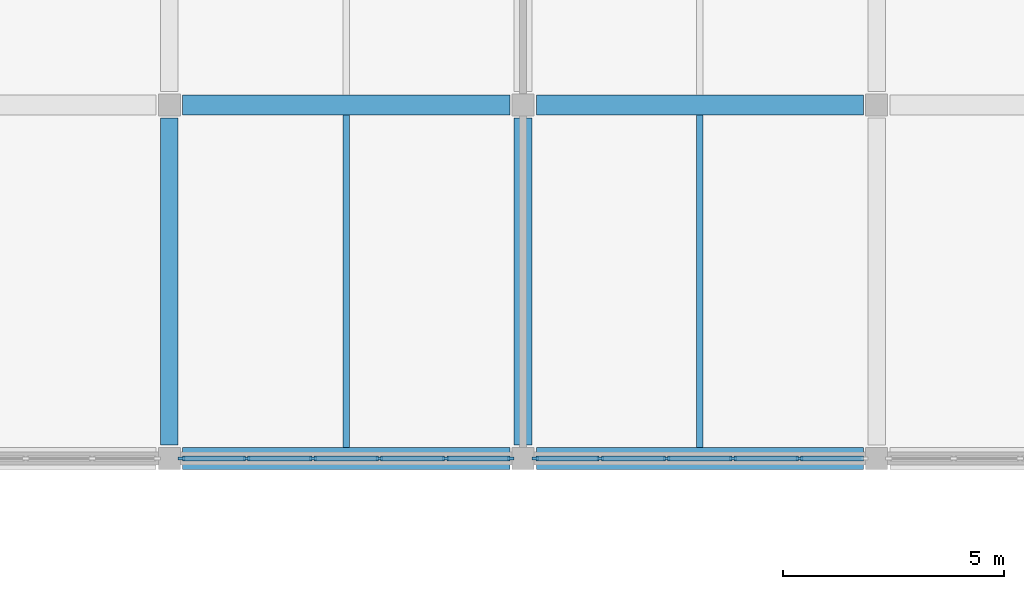
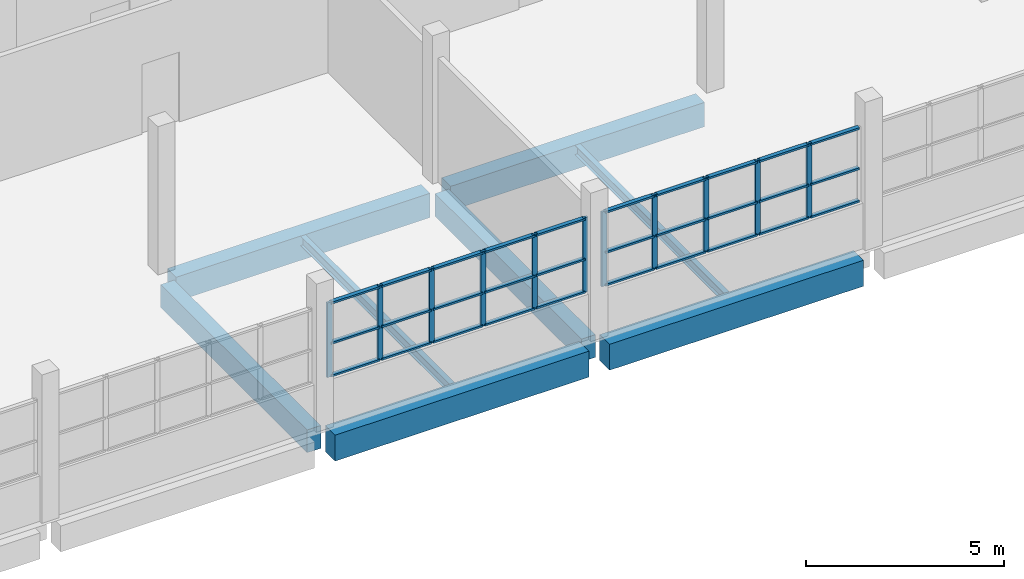
# One storey, part 33 of 93: 41 members, 8 beams, 2 elements without a shape of their own.
"""IFC4 building model written with IfcOpenShell, lengths in metres."""

import ifcopenshell
import ifcopenshell.guid

model = None  # the IFC model being written
_history = None  # IfcOwnerHistory: only IFC2X3 demands one
_inside = {}  # id of a spatial element -> (the spatial element, [elements in it])
_under = {}  # id of a project, library or spatial element -> (it, [spatial elements below it])
_declared = {}  # id of a project -> (the project, [libraries it declares])
_typed = {}  # id of a type object -> (the type object, [elements of that type])
_made_of = {}  # id of a material, layer set ... -> (it, [elements and type objects made of it])


def new_model(schema):
    """Start an empty IFC model of exactly this schema.

    Asked for "IFC4X3", IfcOpenShell would pick the latest addendum, in which some entities
    have other attributes; the version numbers below select the first issue.
    IFC2X3 requires an IfcOwnerHistory on every rooted entity: one is made here for all.
    """
    global model, _history
    if schema == "IFC4X3":
        model = ifcopenshell.file(schema_version=(4, 3, 0, 0))
    else:
        model = ifcopenshell.file(schema=schema)
    _inside.clear()
    _under.clear()
    _declared.clear()
    _typed.clear()
    _made_of.clear()
    _history = None
    if model.schema == "IFC2X3":
        org = make("IfcOrganization", Name="unknown")
        user = make(
            "IfcPersonAndOrganization",
            ThePerson=make("IfcPerson", FamilyName="unknown"),
            TheOrganization=org,
        )
        app = make(
            "IfcApplication",
            ApplicationDeveloper=org,
            Version="unknown",
            ApplicationFullName="unknown",
            ApplicationIdentifier="unknown",
        )
        _history = make(
            "IfcOwnerHistory",
            OwningUser=user,
            OwningApplication=app,
            ChangeAction="ADDED",
            CreationDate=0,
        )
    return model


def make(cls, **values):
    """One entity of the class cls with the attributes given. An attribute that is None is left unset."""
    return model.create_entity(
        cls, **{name: value for name, value in values.items() if value is not None}
    )


def rooted(cls, **values):
    """An entity with a GlobalId (a new one), such as an element, a storey or a relation."""
    return make(cls, GlobalId=ifcopenshell.guid.new(), OwnerHistory=_history, **values)


def si_unit(unit_type, name, prefix=None):
    """IfcSIUnit, for example si_unit("LENGTHUNIT", "METRE", prefix="MILLI")."""
    return make("IfcSIUnit", UnitType=unit_type, Prefix=prefix, Name=name)


def assignment(units):
    """IfcUnitAssignment: the units of a project."""
    return None if units is None else make("IfcUnitAssignment", Units=units)


def point(xyz):
    """IfcCartesianPoint."""
    return None if xyz is None else make("IfcCartesianPoint", Coordinates=xyz)


def direction(xyz):
    """IfcDirection."""
    return None if xyz is None else make("IfcDirection", DirectionRatios=xyz)


def frame(location, z_axis=None, x_axis=None):
    """IfcAxis2Placement3D, a coordinate frame: its origin and axes. An axis left out is left unset."""
    return make(
        "IfcAxis2Placement3D",
        Location=point(location),
        Axis=direction(z_axis),
        RefDirection=direction(x_axis),
    )


def frame_2d(location, x_axis=None):
    """IfcAxis2Placement2D, a coordinate frame in the plane: its origin and x axis."""
    return make(
        "IfcAxis2Placement2D", Location=point(location), RefDirection=direction(x_axis)
    )


def origin():
    """The frame at (0, 0, 0) with its axes left unset."""
    return frame((0.0, 0.0, 0.0))


def origin_2d():
    """The frame at (0, 0) in the plane with its x axis left unset."""
    return frame_2d((0.0, 0.0))


def place(relative_to, where):
    """IfcLocalPlacement: puts the frame where relative to a parent placement (None: the world)."""
    return make(
        "IfcLocalPlacement", PlacementRelTo=relative_to, RelativePlacement=where
    )


def context(
    kind, dimensions, precision=None, world=None, true_north=None, identifier=None
):
    """IfcGeometricRepresentationContext, for example the 3D "Model" context."""
    return make(
        "IfcGeometricRepresentationContext",
        ContextIdentifier=identifier,
        ContextType=kind,
        CoordinateSpaceDimension=dimensions,
        Precision=precision,
        WorldCoordinateSystem=world,
        TrueNorth=true_north,
    )


def subcontext(parent, identifier, kind, view, scale=None):
    """IfcGeometricRepresentationSubContext, for example "Body" below "Model"."""
    return make(
        "IfcGeometricRepresentationSubContext",
        ContextIdentifier=identifier,
        ContextType=kind,
        ParentContext=parent,
        TargetScale=scale,
        TargetView=view,
    )


def project(units=None, contexts=None):
    """IfcProject with its units and contexts."""
    return rooted(
        "IfcProject",
        Name="project",
        RepresentationContexts=contexts,
        UnitsInContext=assignment(units),
    )


def spatial(cls, under=None, at=None, **own):
    """A site, building, storey or space (cls), placed at a placement, below another one or the project."""
    s = rooted(cls, ObjectPlacement=at, **own)
    if under is not None:
        _under.setdefault(under.id(), (under, []))[1].append(s)
    return s


def profile(cls, at=None, kind="AREA", **sizes):
    """A parametric profile (cls). Its sizes go by their IFC names, for example OverallWidth=200.0."""
    return make(cls, ProfileType=kind, Position=at, **sizes)


def rectangle(**sizes):
    """IfcRectangleProfileDef."""
    return profile("IfcRectangleProfileDef", **sizes)


def i_section(**sizes):
    """IfcIShapeProfileDef."""
    return profile("IfcIShapeProfileDef", **sizes)


def extrude(swept, where, along, depth):
    """IfcExtrudedAreaSolid: the profile swept, set in the frame where, extruded along a direction by depth."""
    return make(
        "IfcExtrudedAreaSolid",
        SweptArea=swept,
        Position=where,
        ExtrudedDirection=direction(along),
        Depth=depth,
    )


def shape(context_of_items, identifier, shape_type, items):
    """IfcShapeRepresentation: the items that make up one representation, for example the "Body"."""
    return make(
        "IfcShapeRepresentation",
        ContextOfItems=context_of_items,
        RepresentationIdentifier=identifier,
        RepresentationType=shape_type,
        Items=items,
    )


def material(Name=None, Category=None):
    """IfcMaterial."""
    return make("IfcMaterial", Name=Name, Category=Category)


def layer(
    of_material, thickness, ventilated=None, Name=None, Category=None, Priority=None
):
    """IfcMaterialLayer: one layer of a wall or slab, of a material (None: an air gap)."""
    return make(
        "IfcMaterialLayer",
        Material=of_material,
        LayerThickness=thickness,
        IsVentilated=ventilated,
        Name=Name,
        Category=Category,
        Priority=Priority,
    )


def layer_set(layers, Name=None):
    """IfcMaterialLayerSet."""
    return make("IfcMaterialLayerSet", MaterialLayers=layers, LayerSetName=Name)


def material_profile(
    of_material, cross_section, Name=None, Category=None, Priority=None
):
    """IfcMaterialProfile: a cross section and its material."""
    return make(
        "IfcMaterialProfile",
        Name=Name,
        Material=of_material,
        Profile=cross_section,
        Priority=Priority,
        Category=Category,
    )


def profile_set(profiles, Name=None, composite=None):
    """IfcMaterialProfileSet."""
    return make(
        "IfcMaterialProfileSet",
        Name=Name,
        MaterialProfiles=profiles,
        CompositeProfile=composite,
    )


def made_of(thing, what):
    """Note that an element or type object is made of a material, layer set ...; save() writes the relation."""
    if what is not None:
        _made_of.setdefault(what.id(), (what, []))[1].append(thing)
    return thing


def type_object(cls, material=None, **own):
    """A type object (cls), such as IfcWallType, which elements share."""
    return made_of(rooted(cls, **own), material)


def element(
    cls,
    number,
    at=None,
    inside=None,
    cuts=None,
    type_object=None,
    material=None,
    context=None,
    identifier="Body",
    shape_type=None,
    held_by="IfcProductDefinitionShape",
    body=None,
    shapes=None,
    **own,
):
    """One element of the class cls, such as IfcWall. Its Tag is "e" and its number.

    at: its placement. inside: the storey or other place that contains it. cuts: it is an
    opening in that element (IfcRelVoidsElement). A single representation is given by context,
    identifier, shape_type and body (its items); several are given by shapes. held_by: the class
    of the entity that holds the representations. save() writes the other relations.
    """
    e = rooted(cls, Tag="e%d" % number, ObjectPlacement=at, **own)
    if body is not None:
        shapes = [shape(context, identifier, shape_type, body)]
    if shapes is not None:
        e.Representation = make(held_by, Representations=shapes)
    if inside is not None:
        _inside.setdefault(inside.id(), (inside, []))[1].append(e)
    if cuts is not None:
        rooted(
            "IfcRelVoidsElement", RelatingBuildingElement=cuts, RelatedOpeningElement=e
        )
    if type_object is not None:
        _typed.setdefault(type_object.id(), (type_object, []))[1].append(e)
    return made_of(e, material)


def aggregate(whole, parts):
    """IfcRelAggregates: a whole, such as a stair, and the parts it consists of."""
    return rooted("IfcRelAggregates", RelatingObject=whole, RelatedObjects=parts)


def save(model, path):
    """Write the relations noted so far, then the file.

    IfcRelAggregates (storeys below a building ...), IfcRelContainedInSpatialStructure (elements
    in a storey), IfcRelDefinesByType, IfcRelAssociatesMaterial and IfcRelDeclares: one each for
    every whole, place, type object, material and project.
    """
    for whole, parts in _under.values():
        aggregate(whole, parts)
    for where, things in _inside.values():
        rooted(
            "IfcRelContainedInSpatialStructure",
            RelatedElements=things,
            RelatingStructure=where,
        )
    for kind, things in _typed.values():
        rooted("IfcRelDefinesByType", RelatedObjects=things, RelatingType=kind)
    for what, things in _made_of.values():
        rooted("IfcRelAssociatesMaterial", RelatedObjects=things, RelatingMaterial=what)
    for by, libraries in _declared.values():
        rooted("IfcRelDeclares", RelatingContext=by, RelatedDefinitions=libraries)
    model.write(path)


model = new_model("IFC4")

# Units and contexts
model_context = context("Model", 3, precision=1e-05, world=origin(), true_north=direction((0.0, 1.0)))
body_context = subcontext(model_context, "Body", "Model", "MODEL_VIEW")
ifc_project = project(units=[si_unit("LENGTHUNIT", "METRE"), si_unit("AREAUNIT", "SQUARE_METRE"), si_unit("VOLUMEUNIT", "CUBIC_METRE"), si_unit("PLANEANGLEUNIT", "RADIAN"), si_unit("MASSUNIT", "GRAM", prefix="KILO")], contexts=[model_context])

# Site, building, storey
site_placement = place(None, origin())
site = spatial("IfcSite", under=ifc_project, at=site_placement, CompositionType="ELEMENT")
building_placement = place(site_placement, origin())
building = spatial("IfcBuilding", under=site, at=building_placement, Name="Drelvana Railside Aquatics Centre", CompositionType="ELEMENT")
storey_placement = place(building_placement, frame((0.0, 0.0, 5.39990234375)))
storey = spatial("IfcBuildingStorey", under=building, at=storey_placement, Name="L01", CompositionType="ELEMENT", Elevation=5.39990234375)

# Curtain wall, members
ifc_material_1 = material(Name="Bronze-anodised aluminium curtain wall", Category="aluminium")
ifc_layer = layer(ifc_material_1, 0.1650390625, Name="Bronze-anodised aluminium curtain wall")
ifc_layer_set = layer_set([ifc_layer], Name="Bronze-anodised aluminium curtain wall")
curtain_wall_type = type_object("IfcCurtainWallType", Name="CW-Z5-COURT", PredefinedType="NOTDEFINED", material=ifc_layer_set)
curtain_wall_1_placement = place(storey_placement, origin())
curtain_wall_1 = element("IfcCurtainWall", 1, at=curtain_wall_1_placement, inside=storey, type_object=curtain_wall_type, Name="Curtain wall CW-05-120", PredefinedType="NOTDEFINED")
ifc_material_2 = material(Name="Bronze-anodised aluminium 6063-T6", Category="aluminium")
ifc_material_profile_1 = material_profile(ifc_material_2, rectangle(XDim=0.06005859375, YDim=0.14990234375, at=origin_2d()), Name="ALU-M 60x150")
ifc_profile_set_1 = profile_set([ifc_material_profile_1], Name="Bronze-anodised aluminium 6063-T6")
member_type_1 = type_object("IfcMemberType", Name="CW-Z5-COURT-MUL", PredefinedType="MULLION", material=ifc_profile_set_1)
member_1_placement = place(storey_placement, frame((112.27392578125, 84.0, 1.39404296875), z_axis=(0.0, 0.0, 1.0), x_axis=(0.0, 1.0, 0.0)))
member_1 = element("IfcMember", 2, at=member_1_placement, type_object=member_type_1, Name="CW-05 mullion 1", PredefinedType="MULLION", context=body_context, shape_type="SweptSolid", body=[
    extrude(rectangle(XDim=0.06005859375, YDim=0.14990234375, at=origin_2d()), origin(), (0.0, 0.0, 1.0), 2.30615234375),
])
member_2_placement = place(storey_placement, frame((113.746337890625, 84.0, 1.39404296875), z_axis=(0.0, 0.0, 1.0), x_axis=(0.0, 1.0, 0.0)))
member_2 = element("IfcMember", 3, at=member_2_placement, type_object=member_type_1, Name="CW-05 mullion 2", PredefinedType="MULLION", context=body_context, shape_type="SweptSolid", body=[
    extrude(rectangle(XDim=0.06005859375, YDim=0.14990234375, at=origin_2d()), origin(), (0.0, 0.0, 1.0), 2.30615234375),
])
member_3_placement = place(storey_placement, frame((115.248779296875, 84.0, 1.39404296875), z_axis=(0.0, 0.0, 1.0), x_axis=(0.0, 1.0, 0.0)))
member_3 = element("IfcMember", 4, at=member_3_placement, type_object=member_type_1, Name="CW-05 mullion 3", PredefinedType="MULLION", context=body_context, shape_type="SweptSolid", body=[
    extrude(rectangle(XDim=0.06005859375, YDim=0.14990234375, at=origin_2d()), origin(), (0.0, 0.0, 1.0), 2.30615234375),
])
member_4_placement = place(storey_placement, frame((116.751220703125, 84.0, 1.39404296875), z_axis=(0.0, 0.0, 1.0), x_axis=(0.0, 1.0, 0.0)))
member_4 = element("IfcMember", 5, at=member_4_placement, type_object=member_type_1, Name="CW-05 mullion 4", PredefinedType="MULLION", context=body_context, shape_type="SweptSolid", body=[
    extrude(rectangle(XDim=0.06005859375, YDim=0.14990234375, at=origin_2d()), origin(), (0.0, 0.0, 1.0), 2.30615234375),
])
member_5_placement = place(storey_placement, frame((118.253662109375, 84.0, 1.39404296875), z_axis=(0.0, 0.0, 1.0), x_axis=(0.0, 1.0, 0.0)))
member_5 = element("IfcMember", 6, at=member_5_placement, type_object=member_type_1, Name="CW-05 mullion 5", PredefinedType="MULLION", context=body_context, shape_type="SweptSolid", body=[
    extrude(rectangle(XDim=0.06005859375, YDim=0.14990234375, at=origin_2d()), origin(), (0.0, 0.0, 1.0), 2.30615234375),
])
member_6_placement = place(storey_placement, frame((119.72607421875, 84.0, 1.39404296875), z_axis=(0.0, 0.0, 1.0), x_axis=(0.0, 1.0, 0.0)))
member_6 = element("IfcMember", 7, at=member_6_placement, type_object=member_type_1, Name="CW-05 mullion 6", PredefinedType="MULLION", context=body_context, shape_type="SweptSolid", body=[
    extrude(rectangle(XDim=0.06005859375, YDim=0.14990234375, at=origin_2d()), origin(), (0.0, 0.0, 1.0), 2.30615234375),
])

curtain_wall_2_placement = place(storey_placement, origin())
curtain_wall_2 = element("IfcCurtainWall", 8, at=curtain_wall_2_placement, inside=storey, type_object=curtain_wall_type, Name="Curtain wall CW-05-122", PredefinedType="NOTDEFINED")
member_7_placement = place(storey_placement, frame((120.27392578125, 84.0, 1.39404296875), z_axis=(0.0, 0.0, 1.0), x_axis=(0.0, 1.0, 0.0)))
member_7 = element("IfcMember", 9, at=member_7_placement, type_object=member_type_1, Name="CW-05 mullion 1", PredefinedType="MULLION", context=body_context, shape_type="SweptSolid", body=[
    extrude(rectangle(XDim=0.06005859375, YDim=0.14990234375, at=origin_2d()), origin(), (0.0, 0.0, 1.0), 2.30615234375),
])
member_8_placement = place(storey_placement, frame((121.746337890625, 84.0, 1.39404296875), z_axis=(0.0, 0.0, 1.0), x_axis=(0.0, 1.0, 0.0)))
member_8 = element("IfcMember", 10, at=member_8_placement, type_object=member_type_1, Name="CW-05 mullion 2", PredefinedType="MULLION", context=body_context, shape_type="SweptSolid", body=[
    extrude(rectangle(XDim=0.06005859375, YDim=0.14990234375, at=origin_2d()), origin(), (0.0, 0.0, 1.0), 2.30615234375),
])
member_9_placement = place(storey_placement, frame((123.248779296875, 84.0, 1.39404296875), z_axis=(0.0, 0.0, 1.0), x_axis=(0.0, 1.0, 0.0)))
member_9 = element("IfcMember", 11, at=member_9_placement, type_object=member_type_1, Name="CW-05 mullion 3", PredefinedType="MULLION", context=body_context, shape_type="SweptSolid", body=[
    extrude(rectangle(XDim=0.06005859375, YDim=0.14990234375, at=origin_2d()), origin(), (0.0, 0.0, 1.0), 2.30615234375),
])
member_10_placement = place(storey_placement, frame((124.751220703125, 84.0, 1.39404296875), z_axis=(0.0, 0.0, 1.0), x_axis=(0.0, 1.0, 0.0)))
member_10 = element("IfcMember", 12, at=member_10_placement, type_object=member_type_1, Name="CW-05 mullion 4", PredefinedType="MULLION", context=body_context, shape_type="SweptSolid", body=[
    extrude(rectangle(XDim=0.06005859375, YDim=0.14990234375, at=origin_2d()), origin(), (0.0, 0.0, 1.0), 2.30615234375),
])
member_11_placement = place(storey_placement, frame((126.253662109375, 84.0, 1.39404296875), z_axis=(0.0, 0.0, 1.0), x_axis=(0.0, 1.0, 0.0)))
member_11 = element("IfcMember", 13, at=member_11_placement, type_object=member_type_1, Name="CW-05 mullion 5", PredefinedType="MULLION", context=body_context, shape_type="SweptSolid", body=[
    extrude(rectangle(XDim=0.06005859375, YDim=0.14990234375, at=origin_2d()), origin(), (0.0, 0.0, 1.0), 2.30615234375),
])

# Member
ifc_material_profile_2 = material_profile(ifc_material_2, rectangle(XDim=0.1201171875, YDim=0.06005859375, at=origin_2d()), Name="ALU-T 60x120")
ifc_profile_set_2 = profile_set([ifc_material_profile_2], Name="Bronze-anodised aluminium 6063-T6")
member_type_2 = type_object("IfcMemberType", Name="CW-Z5-COURT-TRN", PredefinedType="USERDEFINED", material=ifc_profile_set_2)
member_12_placement = place(storey_placement, frame((112.299072265625, 84.0, 1.424072265625), z_axis=(1.0, 0.0, 0.0), x_axis=(0.0, 1.0, 0.0)))
member_12 = element("IfcMember", 14, at=member_12_placement, type_object=member_type_2, Name="CW-05 transom 1.1", ObjectType="TRANSOM", PredefinedType="USERDEFINED", context=body_context, shape_type="SweptSolid", body=[
    extrude(rectangle(XDim=0.1201171875, YDim=0.06005859375, at=origin_2d()), origin(), (0.0, 0.0, 1.0), 1.42236328125),
])

member_13_placement = place(storey_placement, frame((112.299072265625, 84.0, 2.43212890625), z_axis=(1.0, 0.0, 0.0), x_axis=(0.0, 1.0, 0.0)))
member_13 = element("IfcMember", 15, at=member_13_placement, type_object=member_type_2, Name="CW-05 transom 1.2", ObjectType="TRANSOM", PredefinedType="USERDEFINED", context=body_context, shape_type="SweptSolid", body=[
    extrude(rectangle(XDim=0.1201171875, YDim=0.06005859375, at=origin_2d()), origin(), (0.0, 0.0, 1.0), 1.42236328125),
])

member_14_placement = place(storey_placement, frame((112.299072265625, 84.0, 3.670166015625), z_axis=(1.0, 0.0, 0.0), x_axis=(0.0, 1.0, 0.0)))
member_14 = element("IfcMember", 16, at=member_14_placement, type_object=member_type_2, Name="CW-05 transom 1.3", ObjectType="TRANSOM", PredefinedType="USERDEFINED", context=body_context, shape_type="SweptSolid", body=[
    extrude(rectangle(XDim=0.1201171875, YDim=0.06005859375, at=origin_2d()), origin(), (0.0, 0.0, 1.0), 1.42236328125),
])

member_15_placement = place(storey_placement, frame((113.771484375, 84.0, 1.424072265625), z_axis=(1.0, 0.0, 0.0), x_axis=(0.0, 1.0, 0.0)))
member_15 = element("IfcMember", 17, at=member_15_placement, type_object=member_type_2, Name="CW-05 transom 2.1", ObjectType="TRANSOM", PredefinedType="USERDEFINED", context=body_context, shape_type="SweptSolid", body=[
    extrude(rectangle(XDim=0.1201171875, YDim=0.06005859375, at=origin_2d()), origin(), (0.0, 0.0, 1.0), 1.452392578125),
])

member_16_placement = place(storey_placement, frame((113.771484375, 84.0, 2.43212890625), z_axis=(1.0, 0.0, 0.0), x_axis=(0.0, 1.0, 0.0)))
member_16 = element("IfcMember", 18, at=member_16_placement, type_object=member_type_2, Name="CW-05 transom 2.2", ObjectType="TRANSOM", PredefinedType="USERDEFINED", context=body_context, shape_type="SweptSolid", body=[
    extrude(rectangle(XDim=0.1201171875, YDim=0.06005859375, at=origin_2d()), origin(), (0.0, 0.0, 1.0), 1.452392578125),
])

member_17_placement = place(storey_placement, frame((113.771484375, 84.0, 3.670166015625), z_axis=(1.0, 0.0, 0.0), x_axis=(0.0, 1.0, 0.0)))
member_17 = element("IfcMember", 19, at=member_17_placement, type_object=member_type_2, Name="CW-05 transom 2.3", ObjectType="TRANSOM", PredefinedType="USERDEFINED", context=body_context, shape_type="SweptSolid", body=[
    extrude(rectangle(XDim=0.1201171875, YDim=0.06005859375, at=origin_2d()), origin(), (0.0, 0.0, 1.0), 1.452392578125),
])

member_18_placement = place(storey_placement, frame((115.273681640625, 84.0, 1.424072265625), z_axis=(1.0, 0.0, 0.0), x_axis=(0.0, 1.0, 0.0)))
member_18 = element("IfcMember", 20, at=member_18_placement, type_object=member_type_2, Name="CW-05 transom 3.1", ObjectType="TRANSOM", PredefinedType="USERDEFINED", context=body_context, shape_type="SweptSolid", body=[
    extrude(rectangle(XDim=0.1201171875, YDim=0.06005859375, at=origin_2d()), origin(), (0.0, 0.0, 1.0), 1.45263671875),
])

member_19_placement = place(storey_placement, frame((115.273681640625, 84.0, 2.43212890625), z_axis=(1.0, 0.0, 0.0), x_axis=(0.0, 1.0, 0.0)))
member_19 = element("IfcMember", 21, at=member_19_placement, type_object=member_type_2, Name="CW-05 transom 3.2", ObjectType="TRANSOM", PredefinedType="USERDEFINED", context=body_context, shape_type="SweptSolid", body=[
    extrude(rectangle(XDim=0.1201171875, YDim=0.06005859375, at=origin_2d()), origin(), (0.0, 0.0, 1.0), 1.45263671875),
])

member_20_placement = place(storey_placement, frame((115.273681640625, 84.0, 3.670166015625), z_axis=(1.0, 0.0, 0.0), x_axis=(0.0, 1.0, 0.0)))
member_20 = element("IfcMember", 22, at=member_20_placement, type_object=member_type_2, Name="CW-05 transom 3.3", ObjectType="TRANSOM", PredefinedType="USERDEFINED", context=body_context, shape_type="SweptSolid", body=[
    extrude(rectangle(XDim=0.1201171875, YDim=0.06005859375, at=origin_2d()), origin(), (0.0, 0.0, 1.0), 1.45263671875),
])

member_21_placement = place(storey_placement, frame((116.776123046875, 84.0, 1.424072265625), z_axis=(1.0, 0.0, 0.0), x_axis=(0.0, 1.0, 0.0)))
member_21 = element("IfcMember", 23, at=member_21_placement, type_object=member_type_2, Name="CW-05 transom 4.1", ObjectType="TRANSOM", PredefinedType="USERDEFINED", context=body_context, shape_type="SweptSolid", body=[
    extrude(rectangle(XDim=0.1201171875, YDim=0.06005859375, at=origin_2d()), origin(), (0.0, 0.0, 1.0), 1.452392578125),
])

member_22_placement = place(storey_placement, frame((116.776123046875, 84.0, 2.43212890625), z_axis=(1.0, 0.0, 0.0), x_axis=(0.0, 1.0, 0.0)))
member_22 = element("IfcMember", 24, at=member_22_placement, type_object=member_type_2, Name="CW-05 transom 4.2", ObjectType="TRANSOM", PredefinedType="USERDEFINED", context=body_context, shape_type="SweptSolid", body=[
    extrude(rectangle(XDim=0.1201171875, YDim=0.06005859375, at=origin_2d()), origin(), (0.0, 0.0, 1.0), 1.452392578125),
])

member_23_placement = place(storey_placement, frame((116.776123046875, 84.0, 3.670166015625), z_axis=(1.0, 0.0, 0.0), x_axis=(0.0, 1.0, 0.0)))
member_23 = element("IfcMember", 25, at=member_23_placement, type_object=member_type_2, Name="CW-05 transom 4.3", ObjectType="TRANSOM", PredefinedType="USERDEFINED", context=body_context, shape_type="SweptSolid", body=[
    extrude(rectangle(XDim=0.1201171875, YDim=0.06005859375, at=origin_2d()), origin(), (0.0, 0.0, 1.0), 1.452392578125),
])

member_24_placement = place(storey_placement, frame((118.278564453125, 84.0, 1.424072265625), z_axis=(1.0, 0.0, 0.0), x_axis=(0.0, 1.0, 0.0)))
member_24 = element("IfcMember", 26, at=member_24_placement, type_object=member_type_2, Name="CW-05 transom 5.1", ObjectType="TRANSOM", PredefinedType="USERDEFINED", context=body_context, shape_type="SweptSolid", body=[
    extrude(rectangle(XDim=0.1201171875, YDim=0.06005859375, at=origin_2d()), origin(), (0.0, 0.0, 1.0), 1.42236328125),
])

member_25_placement = place(storey_placement, frame((118.278564453125, 84.0, 2.43212890625), z_axis=(1.0, 0.0, 0.0), x_axis=(0.0, 1.0, 0.0)))
member_25 = element("IfcMember", 27, at=member_25_placement, type_object=member_type_2, Name="CW-05 transom 5.2", ObjectType="TRANSOM", PredefinedType="USERDEFINED", context=body_context, shape_type="SweptSolid", body=[
    extrude(rectangle(XDim=0.1201171875, YDim=0.06005859375, at=origin_2d()), origin(), (0.0, 0.0, 1.0), 1.42236328125),
])

member_26_placement = place(storey_placement, frame((118.278564453125, 84.0, 3.670166015625), z_axis=(1.0, 0.0, 0.0), x_axis=(0.0, 1.0, 0.0)))
member_26 = element("IfcMember", 28, at=member_26_placement, type_object=member_type_2, Name="CW-05 transom 5.3", ObjectType="TRANSOM", PredefinedType="USERDEFINED", context=body_context, shape_type="SweptSolid", body=[
    extrude(rectangle(XDim=0.1201171875, YDim=0.06005859375, at=origin_2d()), origin(), (0.0, 0.0, 1.0), 1.42236328125),
])

aggregate(curtain_wall_1, [member_1, member_2, member_3, member_4, member_5, member_6, member_12, member_13, member_14, member_15, member_16, member_17, member_18, member_19, member_20, member_21, member_22, member_23, member_24, member_25, member_26])

member_27_placement = place(storey_placement, frame((120.299072265625, 84.0, 1.424072265625), z_axis=(1.0, 0.0, 0.0), x_axis=(0.0, 1.0, 0.0)))
member_27 = element("IfcMember", 29, at=member_27_placement, type_object=member_type_2, Name="CW-05 transom 1.1", ObjectType="TRANSOM", PredefinedType="USERDEFINED", context=body_context, shape_type="SweptSolid", body=[
    extrude(rectangle(XDim=0.1201171875, YDim=0.06005859375, at=origin_2d()), origin(), (0.0, 0.0, 1.0), 1.42236328125),
])

member_28_placement = place(storey_placement, frame((120.299072265625, 84.0, 2.43212890625), z_axis=(1.0, 0.0, 0.0), x_axis=(0.0, 1.0, 0.0)))
member_28 = element("IfcMember", 30, at=member_28_placement, type_object=member_type_2, Name="CW-05 transom 1.2", ObjectType="TRANSOM", PredefinedType="USERDEFINED", context=body_context, shape_type="SweptSolid", body=[
    extrude(rectangle(XDim=0.1201171875, YDim=0.06005859375, at=origin_2d()), origin(), (0.0, 0.0, 1.0), 1.42236328125),
])

member_29_placement = place(storey_placement, frame((120.299072265625, 84.0, 3.670166015625), z_axis=(1.0, 0.0, 0.0), x_axis=(0.0, 1.0, 0.0)))
member_29 = element("IfcMember", 31, at=member_29_placement, type_object=member_type_2, Name="CW-05 transom 1.3", ObjectType="TRANSOM", PredefinedType="USERDEFINED", context=body_context, shape_type="SweptSolid", body=[
    extrude(rectangle(XDim=0.1201171875, YDim=0.06005859375, at=origin_2d()), origin(), (0.0, 0.0, 1.0), 1.42236328125),
])

member_30_placement = place(storey_placement, frame((121.771484375, 84.0, 1.424072265625), z_axis=(1.0, 0.0, 0.0), x_axis=(0.0, 1.0, 0.0)))
member_30 = element("IfcMember", 32, at=member_30_placement, type_object=member_type_2, Name="CW-05 transom 2.1", ObjectType="TRANSOM", PredefinedType="USERDEFINED", context=body_context, shape_type="SweptSolid", body=[
    extrude(rectangle(XDim=0.1201171875, YDim=0.06005859375, at=origin_2d()), origin(), (0.0, 0.0, 1.0), 1.452392578125),
])

member_31_placement = place(storey_placement, frame((121.771484375, 84.0, 2.43212890625), z_axis=(1.0, 0.0, 0.0), x_axis=(0.0, 1.0, 0.0)))
member_31 = element("IfcMember", 33, at=member_31_placement, type_object=member_type_2, Name="CW-05 transom 2.2", ObjectType="TRANSOM", PredefinedType="USERDEFINED", context=body_context, shape_type="SweptSolid", body=[
    extrude(rectangle(XDim=0.1201171875, YDim=0.06005859375, at=origin_2d()), origin(), (0.0, 0.0, 1.0), 1.452392578125),
])

member_32_placement = place(storey_placement, frame((121.771484375, 84.0, 3.670166015625), z_axis=(1.0, 0.0, 0.0), x_axis=(0.0, 1.0, 0.0)))
member_32 = element("IfcMember", 34, at=member_32_placement, type_object=member_type_2, Name="CW-05 transom 2.3", ObjectType="TRANSOM", PredefinedType="USERDEFINED", context=body_context, shape_type="SweptSolid", body=[
    extrude(rectangle(XDim=0.1201171875, YDim=0.06005859375, at=origin_2d()), origin(), (0.0, 0.0, 1.0), 1.452392578125),
])

member_33_placement = place(storey_placement, frame((123.273681640625, 84.0, 1.424072265625), z_axis=(1.0, 0.0, 0.0), x_axis=(0.0, 1.0, 0.0)))
member_33 = element("IfcMember", 35, at=member_33_placement, type_object=member_type_2, Name="CW-05 transom 3.1", ObjectType="TRANSOM", PredefinedType="USERDEFINED", context=body_context, shape_type="SweptSolid", body=[
    extrude(rectangle(XDim=0.1201171875, YDim=0.06005859375, at=origin_2d()), origin(), (0.0, 0.0, 1.0), 1.45263671875),
])

member_34_placement = place(storey_placement, frame((123.273681640625, 84.0, 2.43212890625), z_axis=(1.0, 0.0, 0.0), x_axis=(0.0, 1.0, 0.0)))
member_34 = element("IfcMember", 36, at=member_34_placement, type_object=member_type_2, Name="CW-05 transom 3.2", ObjectType="TRANSOM", PredefinedType="USERDEFINED", context=body_context, shape_type="SweptSolid", body=[
    extrude(rectangle(XDim=0.1201171875, YDim=0.06005859375, at=origin_2d()), origin(), (0.0, 0.0, 1.0), 1.45263671875),
])

member_35_placement = place(storey_placement, frame((123.273681640625, 84.0, 3.670166015625), z_axis=(1.0, 0.0, 0.0), x_axis=(0.0, 1.0, 0.0)))
member_35 = element("IfcMember", 37, at=member_35_placement, type_object=member_type_2, Name="CW-05 transom 3.3", ObjectType="TRANSOM", PredefinedType="USERDEFINED", context=body_context, shape_type="SweptSolid", body=[
    extrude(rectangle(XDim=0.1201171875, YDim=0.06005859375, at=origin_2d()), origin(), (0.0, 0.0, 1.0), 1.45263671875),
])

member_36_placement = place(storey_placement, frame((124.776123046875, 84.0, 1.424072265625), z_axis=(1.0, 0.0, 0.0), x_axis=(0.0, 1.0, 0.0)))
member_36 = element("IfcMember", 38, at=member_36_placement, type_object=member_type_2, Name="CW-05 transom 4.1", ObjectType="TRANSOM", PredefinedType="USERDEFINED", context=body_context, shape_type="SweptSolid", body=[
    extrude(rectangle(XDim=0.1201171875, YDim=0.06005859375, at=origin_2d()), origin(), (0.0, 0.0, 1.0), 1.452392578125),
])

member_37_placement = place(storey_placement, frame((124.776123046875, 84.0, 2.43212890625), z_axis=(1.0, 0.0, 0.0), x_axis=(0.0, 1.0, 0.0)))
member_37 = element("IfcMember", 39, at=member_37_placement, type_object=member_type_2, Name="CW-05 transom 4.2", ObjectType="TRANSOM", PredefinedType="USERDEFINED", context=body_context, shape_type="SweptSolid", body=[
    extrude(rectangle(XDim=0.1201171875, YDim=0.06005859375, at=origin_2d()), origin(), (0.0, 0.0, 1.0), 1.452392578125),
])

member_38_placement = place(storey_placement, frame((124.776123046875, 84.0, 3.670166015625), z_axis=(1.0, 0.0, 0.0), x_axis=(0.0, 1.0, 0.0)))
member_38 = element("IfcMember", 40, at=member_38_placement, type_object=member_type_2, Name="CW-05 transom 4.3", ObjectType="TRANSOM", PredefinedType="USERDEFINED", context=body_context, shape_type="SweptSolid", body=[
    extrude(rectangle(XDim=0.1201171875, YDim=0.06005859375, at=origin_2d()), origin(), (0.0, 0.0, 1.0), 1.452392578125),
])

member_39_placement = place(storey_placement, frame((126.278564453125, 84.0, 1.424072265625), z_axis=(1.0, 0.0, 0.0), x_axis=(0.0, 1.0, 0.0)))
member_39 = element("IfcMember", 41, at=member_39_placement, type_object=member_type_2, Name="CW-05 transom 5.1", ObjectType="TRANSOM", PredefinedType="USERDEFINED", context=body_context, shape_type="SweptSolid", body=[
    extrude(rectangle(XDim=0.1201171875, YDim=0.06005859375, at=origin_2d()), origin(), (0.0, 0.0, 1.0), 1.42236328125),
])

member_40_placement = place(storey_placement, frame((126.278564453125, 84.0, 2.43212890625), z_axis=(1.0, 0.0, 0.0), x_axis=(0.0, 1.0, 0.0)))
member_40 = element("IfcMember", 42, at=member_40_placement, type_object=member_type_2, Name="CW-05 transom 5.2", ObjectType="TRANSOM", PredefinedType="USERDEFINED", context=body_context, shape_type="SweptSolid", body=[
    extrude(rectangle(XDim=0.1201171875, YDim=0.06005859375, at=origin_2d()), origin(), (0.0, 0.0, 1.0), 1.42236328125),
])

member_41_placement = place(storey_placement, frame((126.278564453125, 84.0, 3.670166015625), z_axis=(1.0, 0.0, 0.0), x_axis=(0.0, 1.0, 0.0)))
member_41 = element("IfcMember", 43, at=member_41_placement, type_object=member_type_2, Name="CW-05 transom 5.3", ObjectType="TRANSOM", PredefinedType="USERDEFINED", context=body_context, shape_type="SweptSolid", body=[
    extrude(rectangle(XDim=0.1201171875, YDim=0.06005859375, at=origin_2d()), origin(), (0.0, 0.0, 1.0), 1.42236328125),
])

aggregate(curtain_wall_2, [member_7, member_8, member_9, member_10, member_11, member_27, member_28, member_29, member_30, member_31, member_32, member_33, member_34, member_35, member_36, member_37, member_38, member_39, member_40, member_41])

# Beams
ifc_material_3 = material(Name="Concrete C40/50", Category="concrete")
ifc_material_profile_3 = material_profile(ifc_material_3, rectangle(XDim=0.39990234375, YDim=0.699951171875, at=origin_2d()), Name="RC 400x700")
ifc_profile_set_3 = profile_set([ifc_material_profile_3], Name="Concrete C40/50")
beam_type_1 = type_object("IfcBeamType", Name="STR-BM-BM-03-RC-400x700", PredefinedType="BEAM", material=ifc_profile_set_3)
for number, where, z_axis, x_axis, name in (
    (44, (112.0, 84.300048828125, -0.625), (0.0, 1.0, 0.0), (-1.0, 0.0, 0.0), "Girder BM-03 (L01)"),
    (45, (120.0, 84.300048828125, -0.625), (0.0, 1.0, 0.0), (-1.0, 0.0, 0.0), "Girder BM-03 (L01)"),
):
    element("IfcBeam", number, at=place(storey_placement, frame(where, z_axis=z_axis, x_axis=x_axis)), inside=storey, type_object=beam_type_1, Name=name, PredefinedType="BEAM", context=body_context, shape_type="SweptSolid", body=[
        extrude(rectangle(XDim=0.39990234375, YDim=0.699951171875, at=origin_2d()), origin(), (0.0, 0.0, 1.0), 7.39990234375),
    ])
ifc_material_profile_4 = material_profile(ifc_material_3, rectangle(XDim=0.449951171875, YDim=0.75, at=origin_2d()), Name="RC 450x750")
ifc_profile_set_4 = profile_set([ifc_material_profile_4], Name="Concrete C40/50")
beam_type_2 = type_object("IfcBeamType", Name="STR-BM-BM-04-RC-450x750", PredefinedType="BEAM", material=ifc_profile_set_4)
for number, where, z_axis, x_axis, name in (
    (46, (112.300048828125, 92.0, -0.64990234375), (1.0, 0.0, 0.0), (0.0, 1.0, 0.0), "Girder BM-04 (L01)"),
    (47, (120.300048828125, 92.0, -0.64990234375), (1.0, 0.0, 0.0), (0.0, 1.0, 0.0), "Girder BM-04 (L01)"),
):
    element("IfcBeam", number, at=place(storey_placement, frame(where, z_axis=z_axis, x_axis=x_axis)), inside=storey, type_object=beam_type_2, Name=name, PredefinedType="BEAM", context=body_context, shape_type="SweptSolid", body=[
        extrude(rectangle(XDim=0.449951171875, YDim=0.75, at=origin_2d()), origin(), (0.0, 0.0, 1.0), 7.39990234375),
    ])
ifc_material_profile_5 = material_profile(ifc_material_3, rectangle(XDim=0.5, YDim=0.800048828125, at=origin_2d()), Name="RC 500x800")
ifc_profile_set_5 = profile_set([ifc_material_profile_5], Name="Concrete C40/50")
beam_type_3 = type_object("IfcBeamType", Name="STR-BM-BM-06-RC-500x800", PredefinedType="SPANDREL", material=ifc_profile_set_5)
for number, where, z_axis, x_axis, name in (
    (48, (112.300048828125, 84.0, -0.6748046875), (1.0, 0.0, 0.0), (0.0, 1.0, 0.0), "Girder BM-06 (L01)"),
    (49, (120.300048828125, 84.0, -0.6748046875), (1.0, 0.0, 0.0), (0.0, 1.0, 0.0), "Girder BM-06 (L01)"),
):
    element("IfcBeam", number, at=place(storey_placement, frame(where, z_axis=z_axis, x_axis=x_axis)), inside=storey, type_object=beam_type_3, Name=name, PredefinedType="SPANDREL", context=body_context, shape_type="SweptSolid", body=[
        extrude(rectangle(XDim=0.5, YDim=0.800048828125, at=origin_2d()), origin(), (0.0, 0.0, 1.0), 7.39990234375),
    ])
ifc_material_4 = material(Name="Structural steel S355", Category="steel")
ifc_material_profile_6 = material_profile(ifc_material_4, i_section(OverallWidth=0.14990234375, OverallDepth=0.300048828125, WebThickness=0.007080078125, FlangeThickness=0.0107421875, at=origin_2d()), Name="IPE 300")
ifc_profile_set_6 = profile_set([ifc_material_profile_6], Name="Structural steel S355")
beam_type_4 = type_object("IfcBeamType", Name="STR-SBM-SJ-03-IPE-300", PredefinedType="JOIST", material=ifc_profile_set_6)
for number, where, z_axis, x_axis, name in (
    (50, (116.0, 84.25, -0.4248046875), (0.0, 1.0, 0.0), (-1.0, 0.0, 0.0), "Secondary floor joist SJ-03 (L01)"),
    (51, (124.0, 84.25, -0.4248046875), (0.0, 1.0, 0.0), (-1.0, 0.0, 0.0), "Secondary floor joist SJ-03 (L01)"),
):
    element("IfcBeam", number, at=place(storey_placement, frame(where, z_axis=z_axis, x_axis=x_axis)), inside=storey, type_object=beam_type_4, Name=name, PredefinedType="JOIST", context=body_context, shape_type="SweptSolid", body=[
        extrude(i_section(OverallWidth=0.14990234375, OverallDepth=0.300048828125, WebThickness=0.007080078125, FlangeThickness=0.0107421875, at=origin_2d()), origin(), (0.0, 0.0, 1.0), 7.52490234375),
    ])

save(model, "model.ifc")
